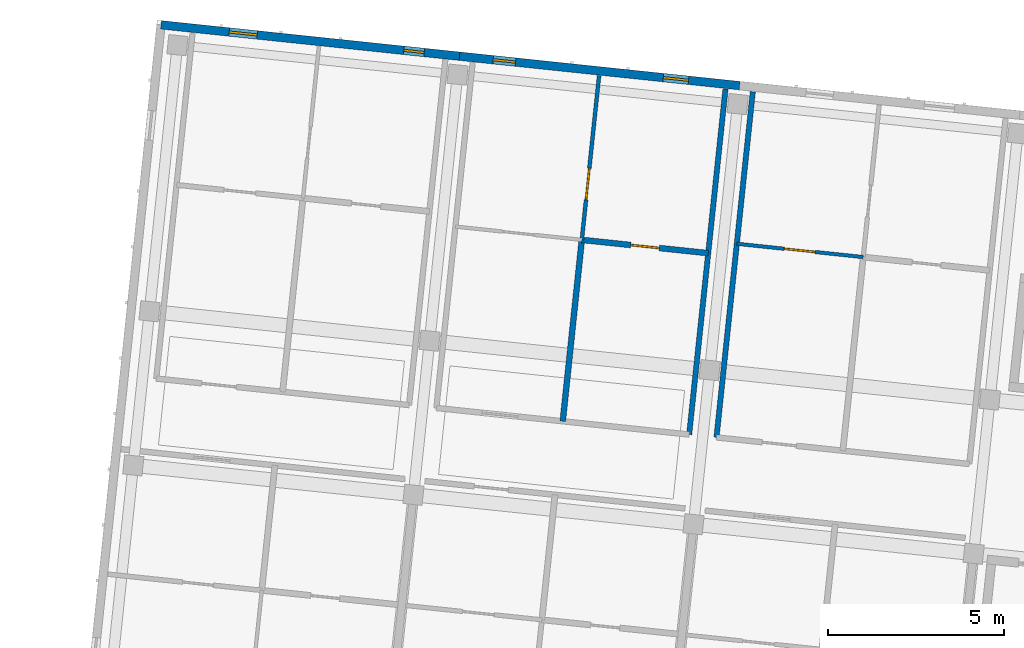
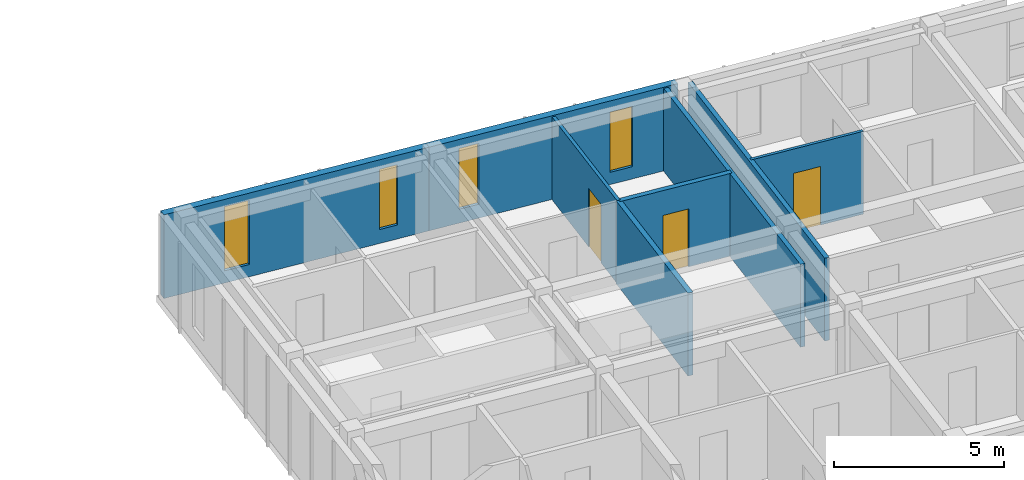
# One storey, part 33 of 66: 8 walls, 4 windows, 3 doors, 7 openings.
"""IFC4 building model written with IfcOpenShell, lengths in metres."""

from ifc_helpers import new_model, si_unit, direction, frame, frame_2d, origin, place, context, subcontext, project, spatial, rectangle, extrude, material, layer, layer_set, type_object, element, fill, save


model = new_model("IFC4")

# Units and contexts
model_context = context("Model", 3, precision=1e-05, world=origin(), true_north=direction((0.0, 1.0)))
body_context = subcontext(model_context, "Body", "Model", "MODEL_VIEW")
ifc_project = project(units=[si_unit("LENGTHUNIT", "METRE"), si_unit("AREAUNIT", "SQUARE_METRE"), si_unit("VOLUMEUNIT", "CUBIC_METRE"), si_unit("PLANEANGLEUNIT", "RADIAN"), si_unit("MASSUNIT", "GRAM", prefix="KILO")], contexts=[model_context])

# Site, building, storey
site_placement = place(None, origin())
site = spatial("IfcSite", under=ifc_project, at=site_placement, CompositionType="ELEMENT")
building_placement = place(site_placement, origin())
building = spatial("IfcBuilding", under=site, at=building_placement, Name="Kestramere Prow Commons", CompositionType="ELEMENT")
storey_placement = place(building_placement, frame((0.0, 0.0, 14.89990234375)))
storey = spatial("IfcBuildingStorey", under=building, at=storey_placement, Name="L04", CompositionType="ELEMENT", Elevation=14.89990234375)

# Wall, openings, windows
ifc_material_1 = material(Name="Fluoropolymer Standing-Seam Zinc-Aluminium Cladding", Category="aluminium")
ifc_layer_1 = layer(ifc_material_1, 0.239990234375)
ifc_layer_set_1 = layer_set([ifc_layer_1], Name="Fluoropolymer Standing-Seam Zinc-Aluminium Cladding")
wall_type_1 = type_object("IfcWallType", Name="EW-SEAM-240", PredefinedType="SOLIDWALL", material=ifc_layer_set_1)
wall_1_placement = place(storey_placement, frame((111.58154296875, 114.86962890625, 0.0), z_axis=(0.0, 0.0, 1.0), x_axis=(0.994521760736, -0.104529744196, 0.0)))
wall_1 = element("IfcWall", 1, at=wall_1_placement, inside=storey, type_object=wall_type_1, Name="Block B L04 North Standing-Seam Wall 1", PredefinedType="SOLIDWALL", context=body_context, shape_type="SweptSolid", body=[
    extrude(rectangle(XDim=8.52490234375, YDim=0.239990234375, at=frame_2d((4.262451171875, 0.0))), origin(), (0.0, 0.0, 1.0), 3.0),
])
opening_1_placement = place(wall_1_placement, frame((1.945068359375, 0.0, 0.43994140625)))
opening_1 = element("IfcOpeningElement", 2, at=opening_1_placement, cuts=wall_1, Name="Opening WN-12", PredefinedType="OPENING", context=body_context, shape_type="SweptSolid", body=[
    extrude(rectangle(XDim=0.800048828125, YDim=2.300048828125, at=frame_2d((0.39990234375, 1.14990234375))), frame((0.0, 0.135009765625, 0.0), z_axis=(0.0, -1.0, 0.0), x_axis=(1.0, 0.0, 0.0)), (0.0, 0.0, 1.0), 0.27001953125),
])
opening_2_placement = place(wall_1_placement, frame((6.935791015625, 0.0, 0.5)))
opening_2 = element("IfcOpeningElement", 3, at=opening_2_placement, cuts=wall_1, Name="Opening WN-01", PredefinedType="OPENING", context=body_context, shape_type="SweptSolid", body=[
    extrude(rectangle(XDim=0.580078125, YDim=2.159912109375, at=frame_2d((0.2900390625, 1.080078125))), frame((0.0, 0.135009765625, 0.0), z_axis=(0.0, -1.0, 0.0), x_axis=(1.0, 0.0, 0.0)), (0.0, 0.0, 1.0), 0.27001953125),
])
ifc_material_2 = material(Name="Low-E Laminated Double Glazing", Category="glass")
window_type_1 = type_object("IfcWindowType", Name="WN-NAR-580A", PartitioningType="SINGLE_PANEL", PredefinedType="WINDOW", material=ifc_material_2)
window_1_placement = place(opening_2_placement, origin())
window_1 = element("IfcWindow", 4, at=window_1_placement, inside=storey, type_object=window_type_1, Name="WN-B-L04-N-0-1", OverallHeight=2.159912109375, OverallWidth=0.580078125, PartitioningType="SINGLE_PANEL", PredefinedType="WINDOW", context=body_context, shape_type="SweptSolid", body=[
    extrude(rectangle(XDim=0.580078125, YDim=2.159912109375, at=frame_2d((0.2900390625, 1.080078125))), frame((0.0, 0.030029296875, 0.0), z_axis=(0.0, -1.0, 0.0), x_axis=(1.0, 0.0, 0.0)), (0.0, 0.0, 1.0), 0.06005859375),
])
fill(opening_2, window_1)
window_type_2 = type_object("IfcWindowType", Name="WN-NAR-800A", PartitioningType="SINGLE_PANEL", PredefinedType="WINDOW", material=ifc_material_2)
window_2_placement = place(opening_1_placement, origin())
window_2 = element("IfcWindow", 5, at=window_2_placement, inside=storey, type_object=window_type_2, Name="WN-B-L04-N-0-0", OverallHeight=2.300048828125, OverallWidth=0.800048828125, PartitioningType="SINGLE_PANEL", PredefinedType="WINDOW", context=body_context, shape_type="SweptSolid", body=[
    extrude(rectangle(XDim=0.800048828125, YDim=2.300048828125, at=frame_2d((0.39990234375, 1.14990234375))), frame((0.0, 0.030029296875, 0.0), z_axis=(0.0, -1.0, 0.0), x_axis=(1.0, 0.0, 0.0)), (0.0, 0.0, 1.0), 0.06005859375),
])
fill(opening_1, window_2)

wall_2_placement = place(storey_placement, frame((120.059814453125, 113.978515625, 0.0), z_axis=(0.0, 0.0, 1.0), x_axis=(0.994522329422, -0.104524333444, 0.0)))
wall_2 = element("IfcWall", 6, at=wall_2_placement, inside=storey, type_object=wall_type_1, Name="Block B L04 North Standing-Seam Wall 2", PredefinedType="SOLIDWALL", context=body_context, shape_type="SweptSolid", body=[
    extrude(rectangle(XDim=7.999755859375, YDim=0.239990234375, at=frame_2d((4.0, 0.0))), origin(), (0.0, 0.0, 1.0), 3.0),
])
opening_3_placement = place(wall_2_placement, frame((0.9599609375, 0.0, 0.5)))
opening_3 = element("IfcOpeningElement", 7, at=opening_3_placement, cuts=wall_2, Name="Opening WN-04", PredefinedType="OPENING", context=body_context, shape_type="SweptSolid", body=[
    extrude(rectangle(XDim=0.639892578125, YDim=2.179931640625, at=frame_2d((0.31982421875, 1.08984375))), frame((0.0, 0.135009765625, 0.0), z_axis=(0.0, -1.0, 0.0), x_axis=(1.0, 0.0, 0.0)), (0.0, 0.0, 1.0), 0.27001953125),
])
opening_4_placement = place(wall_2_placement, frame((5.820068359375, 0.0, 0.43994140625)))
opening_4 = element("IfcOpeningElement", 8, at=opening_4_placement, cuts=wall_2, Name="Opening WN-08", PredefinedType="OPENING", context=body_context, shape_type="SweptSolid", body=[
    extrude(rectangle(XDim=0.719970703125, YDim=2.159912109375, at=frame_2d((0.35986328125, 1.080078125))), frame((0.0, 0.135009765625, 0.0), z_axis=(0.0, -1.0, 0.0), x_axis=(1.0, 0.0, 0.0)), (0.0, 0.0, 1.0), 0.27001953125),
])
window_type_3 = type_object("IfcWindowType", Name="WN-NAR-640A", PartitioningType="SINGLE_PANEL", PredefinedType="WINDOW", material=ifc_material_2)
window_3_placement = place(opening_3_placement, origin())
window_3 = element("IfcWindow", 9, at=window_3_placement, inside=storey, type_object=window_type_3, Name="WN-B-L04-N-1-0", OverallHeight=2.179931640625, OverallWidth=0.639892578125, PartitioningType="SINGLE_PANEL", PredefinedType="WINDOW", context=body_context, shape_type="SweptSolid", body=[
    extrude(rectangle(XDim=0.639892578125, YDim=2.179931640625, at=frame_2d((0.31982421875, 1.08984375))), frame((0.0, 0.030029296875, 0.0), z_axis=(0.0, -1.0, 0.0), x_axis=(1.0, 0.0, 0.0)), (0.0, 0.0, 1.0), 0.06005859375),
])
fill(opening_3, window_3)
window_type_4 = type_object("IfcWindowType", Name="WN-NAR-720A", PartitioningType="SINGLE_PANEL", PredefinedType="WINDOW", material=ifc_material_2)
window_4_placement = place(opening_4_placement, origin())
window_4 = element("IfcWindow", 10, at=window_4_placement, inside=storey, type_object=window_type_4, Name="WN-B-L04-N-1-1", OverallHeight=2.159912109375, OverallWidth=0.719970703125, PartitioningType="SINGLE_PANEL", PredefinedType="WINDOW", context=body_context, shape_type="SweptSolid", body=[
    extrude(rectangle(XDim=0.719970703125, YDim=2.159912109375, at=frame_2d((0.35986328125, 1.080078125))), frame((0.0, 0.030029296875, 0.0), z_axis=(0.0, -1.0, 0.0), x_axis=(1.0, 0.0, 0.0)), (0.0, 0.0, 1.0), 0.06005859375),
])
fill(opening_4, window_4)

# Wall, opening, door
ifc_material_3 = material(Name="Gypsum Acoustic Drywall")
ifc_layer_2 = layer(ifc_material_3, 0.10009765625)
ifc_layer_set_2 = layer_set([ifc_layer_2], Name="Gypsum Acoustic Drywall")
wall_type_2 = type_object("IfcWallType", Name="W-PART-100", PredefinedType="PARTITIONING", material=ifc_layer_set_2)
wall_3_placement = place(storey_placement, frame((127.93603515625, 108.651123046875, 0.0), z_axis=(0.0, 0.0, 1.0), x_axis=(0.994519525119, -0.104551012229, 0.0)))
wall_3 = element("IfcWall", 11, at=wall_3_placement, inside=storey, type_object=wall_type_2, Name="Interior Partition PW-B-L04-MIDN1-2", PredefinedType="PARTITIONING", context=body_context, shape_type="SweptSolid", body=[
    extrude(rectangle(XDim=3.610107421875, YDim=0.10009765625, at=frame_2d((1.80517578125, 0.0))), origin(), (0.0, 0.0, 1.0), 2.97021484375),
])
opening_5_placement = place(wall_3_placement, frame((1.35498046875, 0.0, 0.0)))
opening_5 = element("IfcOpeningElement", 12, at=opening_5_placement, cuts=wall_3, Name="Opening ID-10", PredefinedType="OPENING", context=body_context, shape_type="SweptSolid", body=[
    extrude(rectangle(XDim=0.8798828125, YDim=2.10009765625, at=frame_2d((0.43994140625, 1.050048828125))), frame((0.0, 0.06494140625, 0.0), z_axis=(0.0, -1.0, 0.0), x_axis=(1.0, 0.0, 0.0)), (0.0, 0.0, 1.0), 0.130126953125),
])
ifc_material_4 = material(Name="Engineered Timber Bedroom Door", Category="wood")
door_type_1 = type_object("IfcDoorType", Name="D-RM-03", OperationType="NOTDEFINED", PredefinedType="DOOR", material=ifc_material_4)
door_1_placement = place(opening_5_placement, origin())
door_1 = element("IfcDoor", 13, at=door_1_placement, inside=storey, type_object=door_type_1, Name="Interior Door DR-B-L04-KL-N2", OperationType="SINGLE_SWING_LEFT", OverallHeight=2.10009765625, OverallWidth=0.8798828125, PredefinedType="DOOR", context=body_context, shape_type="SweptSolid", body=[
    extrude(rectangle(XDim=0.8798828125, YDim=2.10009765625, at=frame_2d((0.43994140625, 1.050048828125))), frame((0.0, 0.02490234375, 0.0), z_axis=(0.0, -1.0, 0.0), x_axis=(1.0, 0.0, 0.0)), (0.0, 0.0, 1.0), 0.050048828125),
])
fill(opening_5, door_1)

ifc_layer_3 = layer(ifc_material_3, 0.110107421875)
ifc_layer_set_3 = layer_set([ifc_layer_3], Name="Gypsum Acoustic Drywall")
wall_type_3 = type_object("IfcWallType", Name="W-PART-110", PredefinedType="PARTITIONING", material=ifc_layer_set_3)
wall_4_placement = place(storey_placement, frame((123.533447265625, 108.761962890625, 0.0), z_axis=(0.0, 0.0, 1.0), x_axis=(0.104527618124, 0.994521984196, 0.0)))
wall_4 = element("IfcWall", 14, at=wall_4_placement, inside=storey, type_object=wall_type_3, Name="Interior Partition PW-B-L04-LB-N1", PredefinedType="PARTITIONING", context=body_context, shape_type="SweptSolid", body=[
    extrude(rectangle(XDim=4.68994140625, YDim=0.110107421875, at=frame_2d((2.344970703125, 0.0))), origin(), (0.0, 0.0, 1.0), 2.97021484375),
])
opening_6_placement = place(wall_4_placement, frame((1.14990234375, 0.0, 0.0)))
opening_6 = element("IfcOpeningElement", 15, at=opening_6_placement, cuts=wall_4, Name="Opening ID-08", PredefinedType="OPENING", context=body_context, shape_type="SweptSolid", body=[
    extrude(rectangle(XDim=0.89990234375, YDim=2.10009765625, at=frame_2d((0.449951171875, 1.050048828125))), frame((0.0, 0.070068359375, 0.0), z_axis=(0.0, -1.0, 0.0), x_axis=(1.0, 0.0, 0.0)), (0.0, 0.0, 1.0), 0.14013671875),
])
ifc_material_5 = material(Name="Engineered Timber Flush Door", Category="wood")
door_type_2 = type_object("IfcDoorType", Name="D-RM-01", OperationType="NOTDEFINED", PredefinedType="DOOR", material=ifc_material_5)
door_2_placement = place(opening_6_placement, origin())
door_2 = element("IfcDoor", 16, at=door_2_placement, inside=storey, type_object=door_type_2, Name="Interior Door DR-B-L04-BED-N1", OperationType="SINGLE_SWING_LEFT", OverallHeight=2.10009765625, OverallWidth=0.89990234375, PredefinedType="DOOR", context=body_context, shape_type="SweptSolid", body=[
    extrude(rectangle(XDim=0.89990234375, YDim=2.10009765625, at=frame_2d((0.449951171875, 1.050048828125))), frame((0.0, 0.02490234375, 0.0), z_axis=(0.0, -1.0, 0.0), x_axis=(1.0, 0.0, 0.0)), (0.0, 0.0, 1.0), 0.050048828125),
])
fill(opening_6, door_2)

# Walls
ifc_material_6 = material(Name="Masonry Compartment Wall", Category="masonry")
ifc_layer_4 = layer(ifc_material_6, 0.14990234375)
ifc_layer_set_4 = layer_set([ifc_layer_4], Name="Masonry Compartment Wall")
wall_type_4 = type_object("IfcWallType", Name="W-PART-150", PredefinedType="PARTITIONING", material=ifc_layer_set_4)
for number, where, z_axis, x_axis, name in (
    (17, (126.582275390625, 103.23291015625, 0.0), (0.0, 0.0, 1.0), (0.10453284543, 0.994521434775, 0.0), "Interior Partition PW-B-L04-NWR-1"),
    (18, (127.358154296875, 103.1513671875, 0.0), (0.0, 0.0, 1.0), (0.104508379977, 0.994524006002, 0.0), "Interior Partition PW-B-L04-NWL-2"),
):
    element("IfcWall", number, at=place(storey_placement, frame(where, z_axis=z_axis, x_axis=x_axis)), inside=storey, type_object=wall_type_4, Name=name, PredefinedType="PARTITIONING", context=body_context, shape_type="SweptSolid", body=[
        extrude(rectangle(XDim=9.869873046875, YDim=0.14990234375, at=frame_2d((4.93505859375, 0.0))), origin(), (0.0, 0.0, 1.0), 2.97021484375),
    ])

# Wall, opening, door
ifc_material_7 = material(Name="Waterproof Sanitary Masonry Wall", Category="masonry")
ifc_layer_5 = layer(ifc_material_7, 0.1650390625)
ifc_layer_set_5 = layer_set([ifc_layer_5], Name="Waterproof Sanitary Masonry Wall")
wall_type_5 = type_object("IfcWallType", Name="W-PLUMB-150", PredefinedType="PLUMBINGWALL", material=ifc_layer_set_5)
wall_5_placement = place(storey_placement, frame((123.533447265625, 108.761962890625, 0.0), z_axis=(0.0, 0.0, 1.0), x_axis=(0.994519525119, -0.104551012229, 0.0)))
wall_5 = element("IfcWall", 19, at=wall_5_placement, inside=storey, type_object=wall_type_5, Name="Interior Partition PW-B-L04-MIDN2-1", PredefinedType="PLUMBINGWALL", context=body_context, shape_type="SweptSolid", body=[
    extrude(rectangle(XDim=3.610107421875, YDim=0.1650390625, at=frame_2d((1.80517578125, 0.0))), origin(), (0.0, 0.0, 1.0), 2.97021484375),
])
opening_7_placement = place(wall_5_placement, frame((1.39501953125, 0.0, 0.0)))
opening_7 = element("IfcOpeningElement", 20, at=opening_7_placement, cuts=wall_5, Name="Opening ID-11", PredefinedType="OPENING", context=body_context, shape_type="SweptSolid", body=[
    extrude(rectangle(XDim=0.820068359375, YDim=2.080078125, at=frame_2d((0.41015625, 1.0400390625))), frame((0.0, 0.097412109375, 0.0), z_axis=(0.0, -1.0, 0.0), x_axis=(1.0, 0.0, 0.0)), (0.0, 0.0, 1.0), 0.195068359375),
])
ifc_material_8 = material(Name="Moisture-Resistant Timber Bathroom Door", Category="wood")
door_type_3 = type_object("IfcDoorType", Name="D-BT-01", OperationType="NOTDEFINED", PredefinedType="DOOR", material=ifc_material_8)
door_3_placement = place(opening_7_placement, origin())
door_3 = element("IfcDoor", 21, at=door_3_placement, inside=storey, type_object=door_type_3, Name="Interior Door DR-B-L04-BTH-N1", OperationType="SINGLE_SWING_RIGHT", OverallHeight=2.080078125, OverallWidth=0.820068359375, PredefinedType="DOOR", context=body_context, shape_type="SweptSolid", body=[
    extrude(rectangle(XDim=0.820068359375, YDim=2.080078125, at=frame_2d((0.41015625, 1.0400390625))), frame((0.0, 0.02490234375, 0.0), z_axis=(0.0, -1.0, 0.0), x_axis=(1.0, 0.0, 0.0)), (0.0, 0.0, 1.0), 0.050048828125),
])
fill(opening_7, door_3)

# Wall
wall_6_placement = place(storey_placement, frame((122.9921875, 103.610107421875, 0.0), z_axis=(0.0, 0.0, 1.0), x_axis=(0.104486063868, 0.994526350811, 0.0)))
element("IfcWall", 22, at=wall_6_placement, inside=storey, type_object=wall_type_5, Name="Interior Partition PW-B-L04-KB-N1", PredefinedType="PLUMBINGWALL", context=body_context, shape_type="SweptSolid", body=[
    extrude(rectangle(XDim=5.18017578125, YDim=0.1650390625, at=frame_2d((2.590087890625, 0.0))), origin(), (0.0, 0.0, 1.0), 2.97021484375),
])

save(model, "model.ifc")
